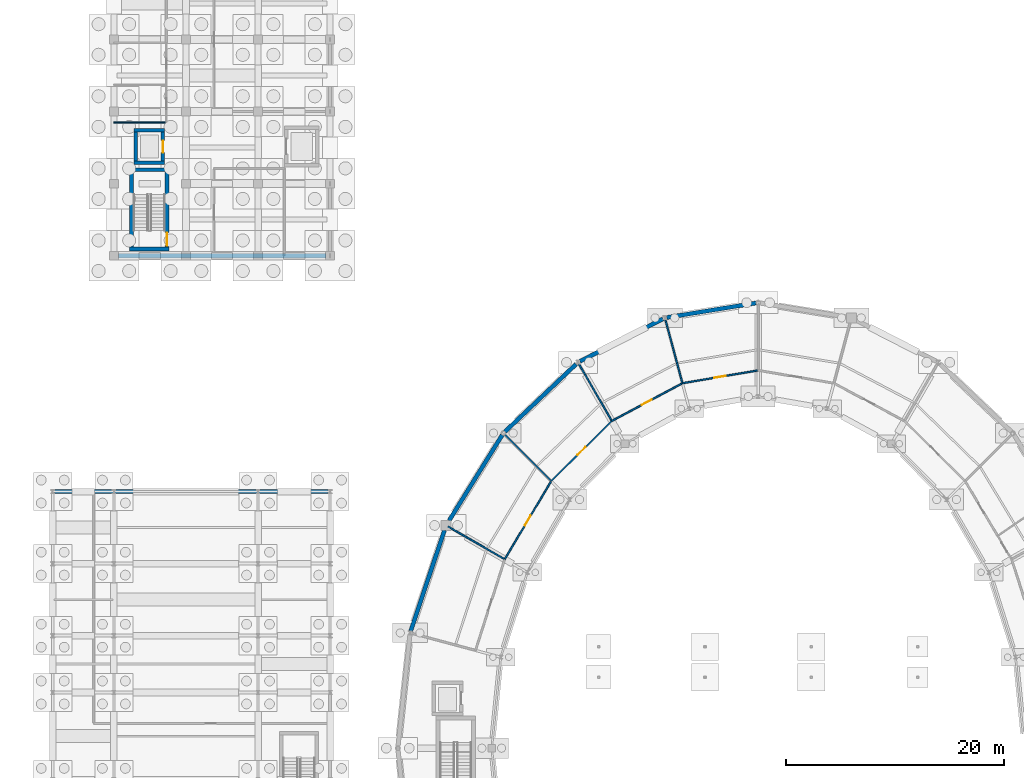
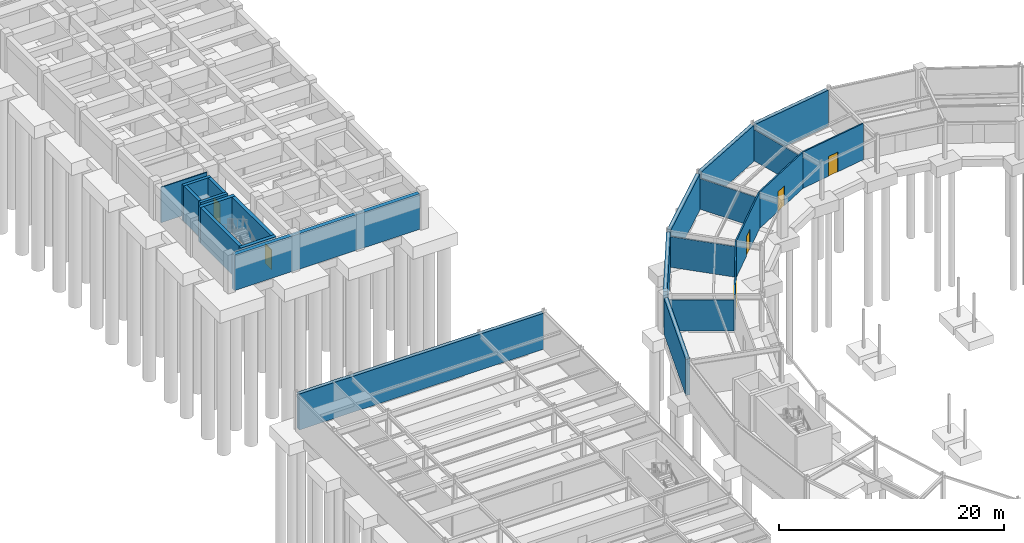
# One storey, part 45 of 58: 24 walls, 6 doors, 6 openings.
"""IFC4 building model written with IfcOpenShell, lengths in metres."""

from ifc_helpers import new_model, si_unit, direction, frame, frame_2d, origin, place, context, subcontext, project, spatial, rectangle, extrude, material, layer, layer_set, type_object, element, fill, save


model = new_model("IFC4")

# Units and contexts
model_context = context("Model", 3, precision=1e-05, world=origin(), true_north=direction((0.0, 1.0)))
body_context = subcontext(model_context, "Body", "Model", "MODEL_VIEW")
ifc_project = project(units=[si_unit("LENGTHUNIT", "METRE"), si_unit("AREAUNIT", "SQUARE_METRE"), si_unit("VOLUMEUNIT", "CUBIC_METRE"), si_unit("PLANEANGLEUNIT", "RADIAN"), si_unit("MASSUNIT", "GRAM", prefix="KILO")], contexts=[model_context])

# Site, building, storey
site_placement = place(None, origin())
site = spatial("IfcSite", under=ifc_project, at=site_placement, CompositionType="ELEMENT")
building_placement = place(site_placement, origin())
building = spatial("IfcBuilding", under=site, at=building_placement, Name="Karori Crest Natural Sciences Institute", CompositionType="ELEMENT")
storey_placement = place(building_placement, frame((0.0, 0.0, -4.199951171875)))
storey = spatial("IfcBuildingStorey", under=building, at=storey_placement, Name="B1", CompositionType="ELEMENT", Elevation=-4.199951171875)

# Walls
ifc_material_1 = material(Name="Concrete 50 MPa", Category="concrete")
ifc_layer_1 = layer(ifc_material_1, 0.35009765625, Name="Concrete 50 MPa")
ifc_layer_set_1 = layer_set([ifc_layer_1], Name="Concrete 50 MPa")
wall_type_1 = type_object("IfcWallType", Name="IWT-02", PredefinedType="SHEAR", material=ifc_layer_set_1)
for number, where, z_axis, x_axis, name in (
    (1, (8.85009765625, 95.625, 0.0), (0.0, 0.0, 1.0), (1.0, 0.0, 0.0), "Shear wall IW-0165"),
    (2, (8.85009765625, 102.875, 0.0), (0.0, 0.0, 1.0), (1.0, 0.0, 0.0), "Shear wall IW-0166"),
):
    element("IfcWall", number, at=place(storey_placement, frame(where, z_axis=z_axis, x_axis=x_axis)), inside=storey, type_object=wall_type_1, Name=name, PredefinedType="SHEAR", context=body_context, shape_type="SweptSolid", body=[
        extrude(rectangle(XDim=3.599853515625, YDim=0.35009765625, at=frame_2d((1.7998046875, 0.0))), origin(), (0.0, 0.0, 1.0), 3.849853515625),
    ])
wall_1_placement = place(storey_placement, frame((9.02490234375, 95.802001953125, 0.0), z_axis=(0.0, 0.0, 1.0), x_axis=(0.0, 1.0, 0.0)))
element("IfcWall", 3, at=wall_1_placement, inside=storey, type_object=wall_type_1, Name="Shear wall IW-0167", PredefinedType="SHEAR", context=body_context, shape_type="SweptSolid", body=[
    extrude(rectangle(XDim=6.89599609375, YDim=0.35009765625, at=frame_2d((3.447998046875, 0.0))), origin(), (0.0, 0.0, 1.0), 3.849853515625),
])

# Wall, opening, door
wall_2_placement = place(storey_placement, frame((12.27490234375, 95.802001953125, 0.0), z_axis=(0.0, 0.0, 1.0), x_axis=(0.0, 1.0, 0.0)))
wall_2 = element("IfcWall", 4, at=wall_2_placement, inside=storey, type_object=wall_type_1, Name="Shear wall IW-0168", PredefinedType="SHEAR", context=body_context, shape_type="SweptSolid", body=[
    extrude(rectangle(XDim=6.89599609375, YDim=0.35009765625, at=frame_2d((3.447998046875, 0.0))), origin(), (0.0, 0.0, 1.0), 3.849853515625),
])
opening_1_placement = place(wall_2_placement, frame((0.1201171875, 0.0, 0.0)))
opening_1 = element("IfcOpeningElement", 5, at=opening_1_placement, cuts=wall_2, Name="Opening ID-0042", PredefinedType="OPENING", context=body_context, shape_type="SweptSolid", body=[
    extrude(rectangle(XDim=1.199951171875, YDim=2.14990234375, at=frame_2d((0.60009765625, 1.074951171875))), frame((0.0, 0.18505859375, 0.0), z_axis=(0.0, -1.0, 0.0), x_axis=(1.0, 0.0, 0.0)), (0.0, 0.0, 1.0), 0.3701171875),
])
ifc_material_2 = material(Name="Stainless steel 316 and fire-rated timber", Category="steel")
door_type_1 = type_object("IfcDoorType", Name="IDT-01", OperationType="NOTDEFINED", PredefinedType="DOOR", material=ifc_material_2)
door_1_placement = place(opening_1_placement, origin())
door_1 = element("IfcDoor", 6, at=door_1_placement, inside=storey, type_object=door_type_1, Name="Stair ST-05 fire door ID-0042", OperationType="SINGLE_SWING_RIGHT", OverallHeight=2.14990234375, OverallWidth=1.199951171875, PredefinedType="DOOR", context=body_context, shape_type="SweptSolid", body=[
    extrude(rectangle(XDim=1.199951171875, YDim=2.14990234375, at=frame_2d((0.60009765625, 1.074951171875))), frame((0.0, 0.02490234375, 0.0), z_axis=(0.0, -1.0, 0.0), x_axis=(1.0, 0.0, 0.0)), (0.0, 0.0, 1.0), 0.050048828125),
])
fill(opening_1, door_1)

# Walls
ifc_layer_2 = layer(ifc_material_1, 0.320068359375, Name="Concrete 50 MPa")
ifc_layer_set_2 = layer_set([ifc_layer_2], Name="Concrete 50 MPa")
wall_type_2 = type_object("IfcWallType", Name="IWT-03", PredefinedType="SHEAR", material=ifc_layer_set_2)
for number, where, z_axis, x_axis, name in (
    (7, (9.2451171875, 103.5048828125, 0.0), (0.0, 0.0, 1.0), (1.0, 0.0, 0.0), "Shear wall IW-0487"),
    (8, (9.2451171875, 106.4951171875, 0.0), (0.0, 0.0, 1.0), (1.0, 0.0, 0.0), "Shear wall IW-0488"),
):
    element("IfcWall", number, at=place(storey_placement, frame(where, z_axis=z_axis, x_axis=x_axis)), inside=storey, type_object=wall_type_2, Name=name, PredefinedType="SHEAR", context=body_context, shape_type="SweptSolid", body=[
        extrude(rectangle(XDim=2.809814453125, YDim=0.320068359375, at=frame_2d((1.40478515625, 0.0))), origin(), (0.0, 0.0, 1.0), 3.849853515625),
    ])
wall_3_placement = place(storey_placement, frame((9.405029296875, 103.6669921875, 0.0), z_axis=(0.0, 0.0, 1.0), x_axis=(0.0, 1.0, 0.0)))
element("IfcWall", 9, at=wall_3_placement, inside=storey, type_object=wall_type_2, Name="Shear wall IW-0489", PredefinedType="SHEAR", context=body_context, shape_type="SweptSolid", body=[
    extrude(rectangle(XDim=2.666015625, YDim=0.320068359375, at=frame_2d((1.3330078125, 0.0))), origin(), (0.0, 0.0, 1.0), 3.849853515625),
])

# Wall, opening, door
wall_4_placement = place(storey_placement, frame((11.89501953125, 103.6669921875, 0.0), z_axis=(0.0, 0.0, 1.0), x_axis=(0.0, 1.0, 0.0)))
wall_4 = element("IfcWall", 10, at=wall_4_placement, inside=storey, type_object=wall_type_2, Name="Shear wall IW-0490", PredefinedType="SHEAR", context=body_context, shape_type="SweptSolid", body=[
    extrude(rectangle(XDim=2.666015625, YDim=0.320068359375, at=frame_2d((1.3330078125, 0.0))), origin(), (0.0, 0.0, 1.0), 3.849853515625),
])
opening_2_placement = place(wall_4_placement, frame((0.782958984375, 0.0, 0.0)))
opening_2 = element("IfcOpeningElement", 11, at=opening_2_placement, cuts=wall_4, Name="Opening LD-0048", PredefinedType="OPENING", context=body_context, shape_type="SweptSolid", body=[
    extrude(rectangle(XDim=1.10009765625, YDim=2.14990234375, at=frame_2d((0.550048828125, 1.074951171875))), frame((0.0, 0.169921875, 0.0), z_axis=(0.0, -1.0, 0.0), x_axis=(1.0, 0.0, 0.0)), (0.0, 0.0, 1.0), 0.340087890625),
])
door_type_2 = type_object("IfcDoorType", Name="LDT-01", OperationType="SLIDING_TO_LEFT", PredefinedType="DOOR", material=ifc_material_2)
door_2_placement = place(opening_2_placement, origin())
door_2 = element("IfcDoor", 12, at=door_2_placement, inside=storey, type_object=door_type_2, Name="Lift LP-04 landing door LD-0048", OperationType="SLIDING_TO_LEFT", OverallHeight=2.14990234375, OverallWidth=1.10009765625, PredefinedType="DOOR", context=body_context, shape_type="SweptSolid", body=[
    extrude(rectangle(XDim=1.10009765625, YDim=2.14990234375, at=frame_2d((0.550048828125, 1.074951171875))), frame((0.0, 0.02490234375, 0.0), z_axis=(0.0, -1.0, 0.0), x_axis=(1.0, 0.0, 0.0)), (0.0, 0.0, 1.0), 0.050048828125),
])
fill(opening_2, door_2)

ifc_material_3 = material(Name="Laboratory acoustic drywall partition")
ifc_layer_3 = layer(ifc_material_3, 0.139892578125, Name="Laboratory acoustic drywall partition")
ifc_layer_set_3 = layer_set([ifc_layer_3], Name="Laboratory acoustic drywall partition")
wall_type_3 = type_object("IfcWallType", Name="IWT-07", PredefinedType="PARTITIONING", material=ifc_layer_set_3)
wall_5_placement = place(storey_placement, frame((66.327880859375, 84.48779296875, 0.0), z_axis=(0.0, 0.0, 1.0), x_axis=(-0.98586001765, -0.167570956905, 0.0)))
wall_5 = element("IfcWall", 13, at=wall_5_placement, inside=storey, type_object=wall_type_3, Name="Partition wall IW-1158", PredefinedType="PARTITIONING", context=body_context, shape_type="SweptSolid", body=[
    extrude(rectangle(XDim=6.962646484375, YDim=0.139892578125, at=frame_2d((3.4814453125, 0.0))), origin(), (0.0, 0.0, 1.0), 3.93994140625),
])
opening_3_placement = place(wall_5_placement, frame((2.956298828125, 0.0, 0.0)))
opening_3 = element("IfcOpeningElement", 14, at=opening_3_placement, cuts=wall_5, Name="Opening ID-0343", PredefinedType="OPENING", context=body_context, shape_type="SweptSolid", body=[
    extrude(rectangle(XDim=1.050048828125, YDim=2.14990234375, at=frame_2d((0.52490234375, 1.074951171875))), frame((0.0, 0.080078125, 0.0), z_axis=(0.0, -1.0, 0.0), x_axis=(1.0, 0.0, 0.0)), (0.0, 0.0, 1.0), 0.159912109375),
])
door_type_3 = type_object("IfcDoorType", Name="IDT-03", OperationType="NOTDEFINED", PredefinedType="DOOR", material=ifc_material_2)
door_3_placement = place(opening_3_placement, origin())
door_3 = element("IfcDoor", 15, at=door_3_placement, inside=storey, type_object=door_type_3, Name="Geological Core Specimen Archive door ID-0343", OperationType="SINGLE_SWING_LEFT", OverallHeight=2.14990234375, OverallWidth=1.050048828125, PredefinedType="DOOR", context=body_context, shape_type="SweptSolid", body=[
    extrude(rectangle(XDim=1.050048828125, YDim=2.14990234375, at=frame_2d((0.52490234375, 1.074951171875))), frame((0.0, 0.02490234375, 0.0), z_axis=(0.0, -1.0, 0.0), x_axis=(1.0, 0.0, 0.0)), (0.0, 0.0, 1.0), 0.050048828125),
])
fill(opening_3, door_3)

# Wall
wall_6_placement = place(storey_placement, frame((59.44287109375, 83.398193359375, 0.0), z_axis=(0.0, 0.0, 1.0), x_axis=(-0.258803343288, 0.965930033441, 0.0)))
element("IfcWall", 16, at=wall_6_placement, inside=storey, type_object=wall_type_3, Name="Partition wall IW-1159", PredefinedType="PARTITIONING", context=body_context, shape_type="SweptSolid", body=[
    extrude(rectangle(XDim=5.927001953125, YDim=0.139892578125, at=frame_2d((2.96337890625, 0.0))), origin(), (0.0, 0.0, 1.0), 3.391845703125),
])

# Wall, opening, door
wall_7_placement = place(storey_placement, frame((59.3984375, 83.2861328125, 0.0), z_axis=(0.0, 0.0, 1.0), x_axis=(-0.881829873621, -0.471567676999, 0.0)))
wall_7 = element("IfcWall", 17, at=wall_7_placement, inside=storey, type_object=wall_type_3, Name="Partition wall IW-1160", PredefinedType="PARTITIONING", context=body_context, shape_type="SweptSolid", body=[
    extrude(rectangle(XDim=7.255859375, YDim=0.139892578125, at=frame_2d((3.6279296875, 0.0))), origin(), (0.0, 0.0, 1.0), 3.93994140625),
])
opening_4_placement = place(wall_7_placement, frame((3.10302734375, 0.0, 0.0)))
opening_4 = element("IfcOpeningElement", 18, at=opening_4_placement, cuts=wall_7, Name="Opening ID-0344", PredefinedType="OPENING", context=body_context, shape_type="SweptSolid", body=[
    extrude(rectangle(XDim=1.050048828125, YDim=2.14990234375, at=frame_2d((0.52490234375, 1.074951171875))), frame((0.0, 0.080078125, 0.0), z_axis=(0.0, -1.0, 0.0), x_axis=(1.0, 0.0, 0.0)), (0.0, 0.0, 1.0), 0.159912109375),
])
door_4_placement = place(opening_4_placement, origin())
door_4 = element("IfcDoor", 19, at=door_4_placement, inside=storey, type_object=door_type_3, Name="Specimen Cold Store door ID-0344", OperationType="SINGLE_SWING_RIGHT", OverallHeight=2.14990234375, OverallWidth=1.050048828125, PredefinedType="DOOR", context=body_context, shape_type="SweptSolid", body=[
    extrude(rectangle(XDim=1.050048828125, YDim=2.14990234375, at=frame_2d((0.52490234375, 1.074951171875))), frame((0.0, 0.02490234375, 0.0), z_axis=(0.0, -1.0, 0.0), x_axis=(1.0, 0.0, 0.0)), (0.0, 0.0, 1.0), 0.050048828125),
])
fill(opening_4, door_4)

# Wall
wall_8_placement = place(storey_placement, frame((52.9599609375, 79.933837890625, 0.0), z_axis=(0.0, 0.0, 1.0), x_axis=(-0.500001726418, 0.866024407034, 0.0)))
element("IfcWall", 20, at=wall_8_placement, inside=storey, type_object=wall_type_3, Name="Partition wall IW-1161", PredefinedType="PARTITIONING", context=body_context, shape_type="SweptSolid", body=[
    extrude(rectangle(XDim=5.927734375, YDim=0.139892578125, at=frame_2d((2.9638671875, 0.0))), origin(), (0.0, 0.0, 1.0), 3.31298828125),
])

# Wall, opening, door
wall_9_placement = place(storey_placement, frame((52.99853515625, 79.863037109375, 0.0), z_axis=(0.0, 0.0, 1.0), x_axis=(-0.710427757183, -0.703770134222, 0.0)))
wall_9 = element("IfcWall", 21, at=wall_9_placement, inside=storey, type_object=wall_type_3, Name="Partition wall IW-1162", PredefinedType="PARTITIONING", context=body_context, shape_type="SweptSolid", body=[
    extrude(rectangle(XDim=7.810791015625, YDim=0.139892578125, at=frame_2d((3.9052734375, 0.0))), origin(), (0.0, 0.0, 1.0), 3.93994140625),
])
opening_5_placement = place(wall_9_placement, frame((3.380615234375, 0.0, 0.0)))
opening_5 = element("IfcOpeningElement", 22, at=opening_5_placement, cuts=wall_9, Name="Opening ID-0345", PredefinedType="OPENING", context=body_context, shape_type="SweptSolid", body=[
    extrude(rectangle(XDim=1.050048828125, YDim=2.14990234375, at=frame_2d((0.52490234375, 1.074951171875))), frame((0.0, 0.080078125, 0.0), z_axis=(0.0, -1.0, 0.0), x_axis=(1.0, 0.0, 0.0)), (0.0, 0.0, 1.0), 0.159912109375),
])
door_5_placement = place(opening_5_placement, origin())
door_5 = element("IfcDoor", 23, at=door_5_placement, inside=storey, type_object=door_type_3, Name="Laboratory Exhaust and Vacuum Plant Room door ID-0345", OperationType="SINGLE_SWING_LEFT", OverallHeight=2.14990234375, OverallWidth=1.050048828125, PredefinedType="DOOR", context=body_context, shape_type="SweptSolid", body=[
    extrude(rectangle(XDim=1.050048828125, YDim=2.14990234375, at=frame_2d((0.52490234375, 1.074951171875))), frame((0.0, 0.02490234375, 0.0), z_axis=(0.0, -1.0, 0.0), x_axis=(1.0, 0.0, 0.0)), (0.0, 0.0, 1.0), 0.050048828125),
])
fill(opening_5, door_5)

# Wall
wall_10_placement = place(storey_placement, frame((47.392822265625, 74.422607421875, 0.0), z_axis=(0.0, 0.0, 1.0), x_axis=(-0.707086187743, 0.707127374031, 0.0)))
element("IfcWall", 24, at=wall_10_placement, inside=storey, type_object=wall_type_3, Name="Partition wall IW-1163", PredefinedType="PARTITIONING", context=body_context, shape_type="SweptSolid", body=[
    extrude(rectangle(XDim=5.927734375, YDim=0.139892578125, at=frame_2d((2.9638671875, 0.0))), origin(), (0.0, 0.0, 1.0), 3.322998046875),
])

# Wall, opening, door
wall_11_placement = place(storey_placement, frame((47.41162109375, 74.302001953125, 0.0), z_axis=(0.0, 0.0, 1.0), x_axis=(-0.51092787214, -0.85962358592, 0.0)))
wall_11 = element("IfcWall", 25, at=wall_11_placement, inside=storey, type_object=wall_type_3, Name="Partition wall IW-1164", PredefinedType="PARTITIONING", context=body_context, shape_type="SweptSolid", body=[
    extrude(rectangle(XDim=8.26171875, YDim=0.139892578125, at=frame_2d((4.130859375, 0.0))), origin(), (0.0, 0.0, 1.0), 3.93994140625),
])
opening_6_placement = place(wall_11_placement, frame((3.60595703125, 0.0, 0.0)))
opening_6 = element("IfcOpeningElement", 26, at=opening_6_placement, cuts=wall_11, Name="Opening ID-0346", PredefinedType="OPENING", context=body_context, shape_type="SweptSolid", body=[
    extrude(rectangle(XDim=1.050048828125, YDim=2.14990234375, at=frame_2d((0.52490234375, 1.074951171875))), frame((0.0, 0.080078125, 0.0), z_axis=(0.0, -1.0, 0.0), x_axis=(1.0, 0.0, 0.0)), (0.0, 0.0, 1.0), 0.159912109375),
])
door_6_placement = place(opening_6_placement, origin())
door_6 = element("IfcDoor", 27, at=door_6_placement, inside=storey, type_object=door_type_3, Name="Geological Core Specimen Archive door ID-0346", OperationType="SINGLE_SWING_RIGHT", OverallHeight=2.14990234375, OverallWidth=1.050048828125, PredefinedType="DOOR", context=body_context, shape_type="SweptSolid", body=[
    extrude(rectangle(XDim=1.050048828125, YDim=2.14990234375, at=frame_2d((0.52490234375, 1.074951171875))), frame((0.0, 0.02490234375, 0.0), z_axis=(0.0, -1.0, 0.0), x_axis=(1.0, 0.0, 0.0)), (0.0, 0.0, 1.0), 0.050048828125),
])
fill(opening_6, door_6)

# Walls
wall_12_placement = place(storey_placement, frame((43.12109375, 67.239990234375, 0.0), z_axis=(0.0, 0.0, 1.0), x_axis=(-0.866006572617, 0.500032615121, 0.0)))
element("IfcWall", 28, at=wall_12_placement, inside=storey, type_object=wall_type_3, Name="Partition wall IW-1165", PredefinedType="PARTITIONING", context=body_context, shape_type="SweptSolid", body=[
    extrude(rectangle(XDim=5.927734375, YDim=0.139892578125, at=frame_2d((2.9638671875, 0.0))), origin(), (0.0, 0.0, 1.0), 3.391845703125),
])
ifc_material_4 = material(Name="Washroom moisture-resistant partition")
ifc_layer_4 = layer(ifc_material_4, 0.10009765625, Name="Washroom moisture-resistant partition")
ifc_layer_set_4 = layer_set([ifc_layer_4], Name="Washroom moisture-resistant partition")
wall_type_4 = type_object("IfcWallType", Name="IWT-09", PredefinedType="PARTITIONING", material=ifc_layer_set_4)
wall_13_placement = place(storey_placement, frame((7.39990234375, 107.199951171875, 0.0), z_axis=(0.0, 0.0, 1.0), x_axis=(1.0, 0.0, 0.0)))
element("IfcWall", 29, at=wall_13_placement, inside=storey, type_object=wall_type_4, Name="Partition wall IW-0892", PredefinedType="PARTITIONING", context=body_context, shape_type="SweptSolid", body=[
    extrude(rectangle(XDim=4.697998046875, YDim=0.10009765625, at=frame_2d((2.34912109375, 0.0))), origin(), (0.0, 0.0, 1.0), 3.849853515625),
])
ifc_material_5 = material(Name="Concrete 40 MPa", Category="concrete")
ifc_layer_5 = layer(ifc_material_5, 0.3798828125, Name="Concrete 40 MPa")
ifc_layer_set_5 = layer_set([ifc_layer_5], Name="Concrete 40 MPa")
wall_type_5 = type_object("IfcWallType", Name="WT-08", PredefinedType="USERDEFINED", material=ifc_layer_set_5)
wall_14_placement = place(storey_placement, frame((58.031982421875, 89.337890625, 0.0), z_axis=(0.0, 0.0, 1.0), x_axis=(0.987008684103, 0.160666914778, 0.0)))
element("IfcWall", 30, at=wall_14_placement, inside=storey, type_object=wall_type_5, Name="Exterior wall EW-0012", ObjectType="RETAININGWALL", PredefinedType="USERDEFINED", context=body_context, shape_type="SweptSolid", body=[
    extrude(rectangle(XDim=8.27685546875, YDim=0.3798828125, at=frame_2d((4.138427734375, 0.0))), origin(), (0.0, 0.0, 1.0), 3.89990234375),
])
wall_15_placement = place(storey_placement, frame((50.0732421875, 85.322509765625, 0.0), z_axis=(0.0, 0.0, 1.0), x_axis=(0.890063703341, 0.455836159156, 0.0)))
element("IfcWall", 31, at=wall_15_placement, inside=storey, type_object=wall_type_5, Name="Exterior wall EW-0013", ObjectType="RETAININGWALL", PredefinedType="USERDEFINED", context=body_context, shape_type="SweptSolid", body=[
    extrude(rectangle(XDim=8.552734375, YDim=0.3798828125, at=frame_2d((4.2763671875, 0.0))), origin(), (0.0, 0.0, 1.0), 3.89990234375),
])
wall_16_placement = place(storey_placement, frame((43.21142578125, 78.888427734375, 0.0), z_axis=(0.0, 0.0, 1.0), x_axis=(0.725483885401, 0.688239153219, 0.0)))
element("IfcWall", 32, at=wall_16_placement, inside=storey, type_object=wall_type_5, Name="Exterior wall EW-0014", ObjectType="RETAININGWALL", PredefinedType="USERDEFINED", context=body_context, shape_type="SweptSolid", body=[
    extrude(rectangle(XDim=8.98046875, YDim=0.3798828125, at=frame_2d((4.490234375, 0.0))), origin(), (0.0, 0.0, 1.0), 3.89990234375),
])
wall_17_placement = place(storey_placement, frame((38.099365234375, 70.748291015625, 0.0), z_axis=(0.0, 0.0, 1.0), x_axis=(0.527331869532, 0.849659401982, 0.0)))
element("IfcWall", 33, at=wall_17_placement, inside=storey, type_object=wall_type_5, Name="Exterior wall EW-0015", ObjectType="RETAININGWALL", PredefinedType="USERDEFINED", context=body_context, shape_type="SweptSolid", body=[
    extrude(rectangle(XDim=9.21630859375, YDim=0.3798828125, at=frame_2d((4.608154296875, 0.0))), origin(), (0.0, 0.0, 1.0), 3.89990234375),
])
wall_18_placement = place(storey_placement, frame((34.58251953125, 60.6328125, 0.0), z_axis=(0.0, 0.0, 1.0), x_axis=(0.317673767079, 0.948200072616, 0.0)))
element("IfcWall", 34, at=wall_18_placement, inside=storey, type_object=wall_type_5, Name="Exterior wall EW-0016", ObjectType="RETAININGWALL", PredefinedType="USERDEFINED", context=body_context, shape_type="SweptSolid", body=[
    extrude(rectangle(XDim=9.72265625, YDim=0.3798828125, at=frame_2d((4.861328125, 0.0))), origin(), (0.0, 0.0, 1.0), 3.89990234375),
])
wall_19_placement = place(storey_placement, frame((1.972900390625, 73.39990234375, 0.0), z_axis=(0.0, 0.0, 1.0), x_axis=(1.0, 0.0, 0.0)))
element("IfcWall", 35, at=wall_19_placement, inside=storey, type_object=wall_type_5, Name="Exterior wall EW-0130", ObjectType="RETAININGWALL", PredefinedType="USERDEFINED", context=body_context, shape_type="SweptSolid", body=[
    extrude(rectangle(XDim=25.05419921875, YDim=0.3798828125, at=frame_2d((12.527099609375, 0.0))), origin(), (0.0, 0.0, 1.0), 3.89990234375),
])
ifc_layer_6 = layer(ifc_material_5, 0.419921875, Name="Concrete 40 MPa")
ifc_layer_set_6 = layer_set([ifc_layer_6], Name="Concrete 40 MPa")
wall_type_6 = type_object("IfcWallType", Name="WT-09", PredefinedType="USERDEFINED", material=ifc_layer_set_6)
wall_20_placement = place(storey_placement, frame((26.802001953125, 95.0, 0.0), z_axis=(0.0, 0.0, 1.0), x_axis=(-1.0, 0.0, 0.0)))
element("IfcWall", 36, at=wall_20_placement, inside=storey, type_object=wall_type_6, Name="Exterior wall EW-0156", ObjectType="RETAININGWALL", PredefinedType="USERDEFINED", context=body_context, shape_type="SweptSolid", body=[
    extrude(rectangle(XDim=19.00390625, YDim=0.419921875, at=frame_2d((9.501953125, 0.0))), origin(), (0.0, 0.0, 1.0), 3.849853515625),
])

save(model, "model.ifc")
